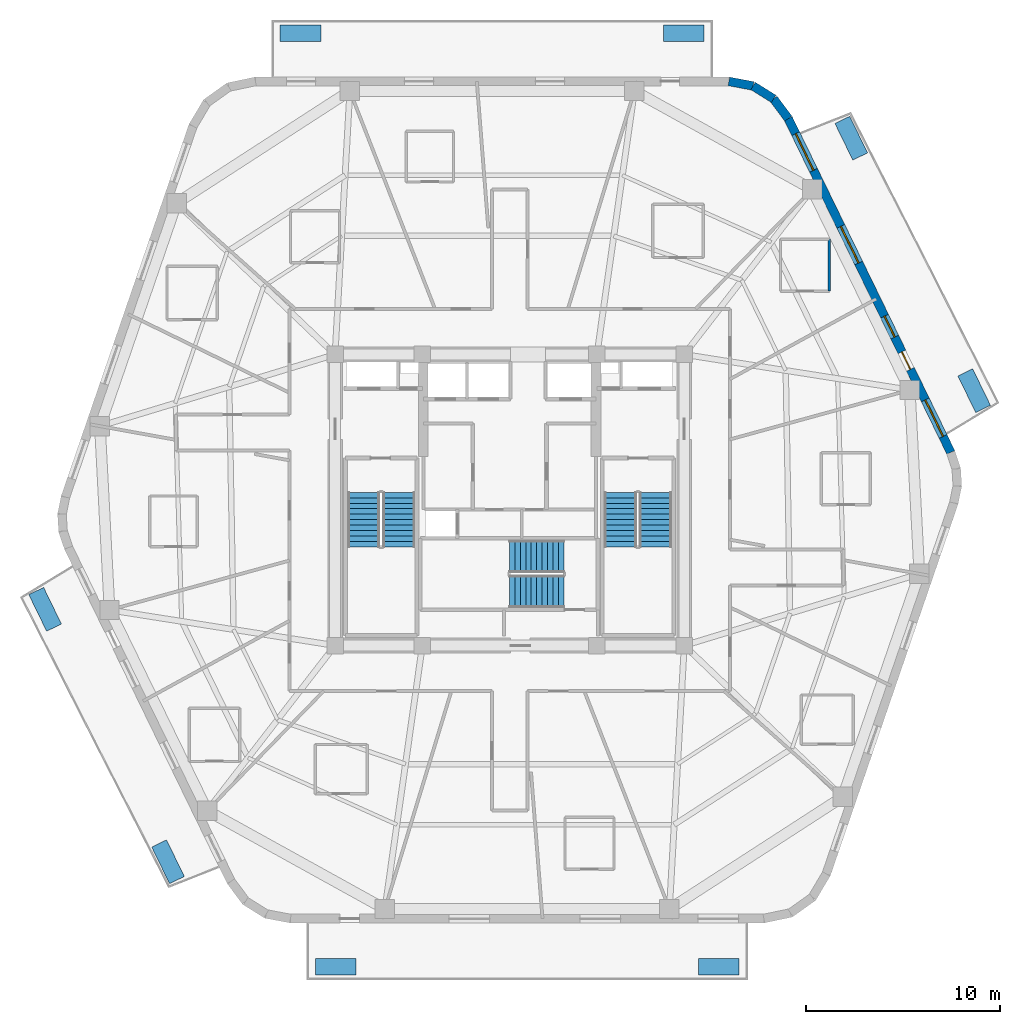
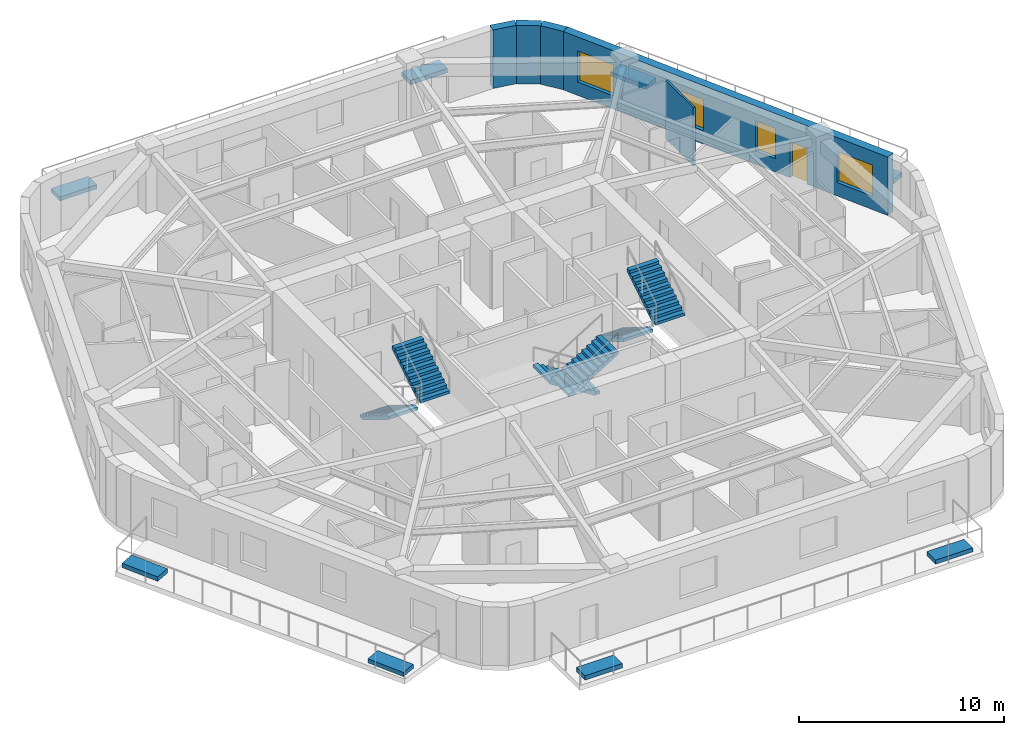
# One storey, part 7 of 10: 8 discrete accessories, 6 stair flights, 5 walls, 4 windows, 1 door, 5 openings, 3 elements without a shape of their own.
"""IFC4 building model written with IfcOpenShell, lengths in metres."""

from ifc_helpers import new_model, si_unit, direction, frame, frame_2d, origin, origin_2d, place, context, subcontext, project, spatial, polyline, rectangle, outline, extrude, material, layer, layer_set, type_object, element, fill, aggregate, save


model = new_model("IFC4")

# Units and contexts
model_context = context("Model", 3, precision=1e-05, world=origin(), true_north=direction((0.0, 1.0)))
body_context = subcontext(model_context, "Body", "Model", "MODEL_VIEW")
ifc_project = project(units=[si_unit("LENGTHUNIT", "METRE"), si_unit("AREAUNIT", "SQUARE_METRE"), si_unit("VOLUMEUNIT", "CUBIC_METRE"), si_unit("PLANEANGLEUNIT", "RADIAN"), si_unit("MASSUNIT", "GRAM", prefix="KILO")], contexts=[model_context])

# Site, building, storey
site_placement = place(None, origin())
site = spatial("IfcSite", under=ifc_project, at=site_placement, CompositionType="ELEMENT")
building_placement = place(site_placement, origin())
building = spatial("IfcBuilding", under=site, at=building_placement, Name="Kilnhurst Terrace Hotel", CompositionType="ELEMENT")
storey_placement = place(building_placement, frame((0.0, 0.0, 252.10009765625)))
storey = spatial("IfcBuildingStorey", under=building, at=storey_placement, Name="L63", CompositionType="ELEMENT", Elevation=252.10009765625)

# Walls
ifc_material_1 = material(Name="Precast concrete C40/50", Category="concrete")
ifc_layer_1 = layer(ifc_material_1, 0.449951171875, Name="Precast concrete C40/50")
ifc_layer_set_1 = layer_set([ifc_layer_1], Name="Precast concrete C40/50")
wall_type_1 = type_object("IfcWallType", Name="WL-BRK-450", PredefinedType="SOLIDWALL", material=ifc_layer_set_1)
wall_1_placement = place(storey_placement, frame((14.3623046875, 19.658447265625, 0.0), z_axis=(0.0, 0.0, 1.0), x_axis=(-0.596642462792, 0.80250717853, 0.0)))
element("IfcWall", 1, at=wall_1_placement, inside=storey, type_object=wall_type_1, Name="L63 Rounded Corner Brick Wall C4.1", PredefinedType="SOLIDWALL", context=body_context, shape_type="SweptSolid", body=[
    extrude(rectangle(XDim=1.27001953125, YDim=0.449951171875, at=frame_2d((0.635009765625, 0.0))), origin(), (0.0, 0.0, 1.0), 3.47998046875),
])
wall_2_placement = place(storey_placement, frame((13.6044921875, 20.677734375, 0.0), z_axis=(0.0, 0.0, 1.0), x_axis=(-0.847910404124, 0.53013955387, 0.0)))
element("IfcWall", 2, at=wall_2_placement, inside=storey, type_object=wall_type_1, Name="L63 Rounded Corner Brick Wall C4.2", PredefinedType="SOLIDWALL", context=body_context, shape_type="SweptSolid", body=[
    extrude(rectangle(XDim=1.24853515625, YDim=0.449951171875, at=frame_2d((0.624267578125, 0.0))), origin(), (0.0, 0.0, 1.0), 3.47998046875),
])
wall_3_placement = place(storey_placement, frame((12.5458984375, 21.339599609375, 0.0), z_axis=(0.0, 0.0, 1.0), x_axis=(-0.982686750835, 0.18527479519, 0.0)))
element("IfcWall", 3, at=wall_3_placement, inside=storey, type_object=wall_type_1, Name="L63 Rounded Corner Brick Wall C4.3", PredefinedType="SOLIDWALL", context=body_context, shape_type="SweptSolid", body=[
    extrude(rectangle(XDim=1.270263671875, YDim=0.449951171875, at=frame_2d((0.63525390625, 0.0))), origin(), (0.0, 0.0, 1.0), 3.47998046875),
])

# Wall, openings, door, windows
wall_4_placement = place(storey_placement, frame((22.73974609375, 2.4521484375, 0.0), z_axis=(0.0, 0.0, 1.0), x_axis=(-0.437753424814, 0.899095066755, 0.0)))
wall_4 = element("IfcWall", 4, at=wall_4_placement, inside=storey, type_object=wall_type_1, Name="L63 Exterior Brick Facade Wall F3", PredefinedType="SOLIDWALL", context=body_context, shape_type="SweptSolid", body=[
    extrude(rectangle(XDim=19.137451171875, YDim=0.449951171875, at=frame_2d((9.56884765625, 0.0))), origin(), (0.0, 0.0, 1.0), 3.47998046875),
])
opening_1_placement = place(wall_4_placement, frame((4.762939453125, 0.0, 0.0)))
opening_1 = element("IfcOpeningElement", 5, at=opening_1_placement, cuts=wall_4, Name="Opening BD-1000", PredefinedType="OPENING", context=body_context, shape_type="SweptSolid", body=[
    extrude(rectangle(XDim=1.0, YDim=2.14990234375, at=frame_2d((0.5, 1.074951171875))), frame((0.0, 0.23486328125, 0.0), z_axis=(0.0, -1.0, 0.0), x_axis=(1.0, 0.0, 0.0)), (0.0, 0.0, 1.0), 0.469970703125),
])
opening_2_placement = place(wall_4_placement, frame((6.611083984375, 0.0, 0.800048828125)))
opening_2 = element("IfcOpeningElement", 6, at=opening_2_placement, cuts=wall_4, Name="Opening W-03", PredefinedType="OPENING", context=body_context, shape_type="SweptSolid", body=[
    extrude(rectangle(XDim=1.199951171875, YDim=1.800048828125, at=frame_2d((0.60009765625, 0.89990234375))), frame((0.0, 0.23486328125, 0.0), z_axis=(0.0, -1.0, 0.0), x_axis=(1.0, 0.0, 0.0)), (0.0, 0.0, 1.0), 0.469970703125),
])
opening_3_placement = place(wall_4_placement, frame((10.85595703125, 0.0, 0.800048828125)))
opening_3 = element("IfcOpeningElement", 7, at=opening_3_placement, cuts=wall_4, Name="Opening W-04", PredefinedType="OPENING", context=body_context, shape_type="SweptSolid", body=[
    extrude(rectangle(XDim=2.10009765625, YDim=1.85009765625, at=frame_2d((1.050048828125, 0.925048828125))), frame((0.0, 0.23486328125, 0.0), z_axis=(0.0, -1.0, 0.0), x_axis=(1.0, 0.0, 0.0)), (0.0, 0.0, 1.0), 0.469970703125),
])
opening_4_placement = place(wall_4_placement, frame((16.173095703125, 0.0, 0.800048828125)))
opening_4 = element("IfcOpeningElement", 8, at=opening_4_placement, cuts=wall_4, Name="Opening W-04", PredefinedType="OPENING", context=body_context, shape_type="SweptSolid", body=[
    extrude(rectangle(XDim=2.10009765625, YDim=1.85009765625, at=frame_2d((1.050048828125, 0.925048828125))), frame((0.0, 0.23486328125, 0.0), z_axis=(0.0, -1.0, 0.0), x_axis=(1.0, 0.0, 0.0)), (0.0, 0.0, 1.0), 0.469970703125),
])
opening_5_placement = place(wall_4_placement, frame((0.916015625, 0.0, 0.800048828125)))
opening_5 = element("IfcOpeningElement", 9, at=opening_5_placement, cuts=wall_4, Name="Opening W-04", PredefinedType="OPENING", context=body_context, shape_type="SweptSolid", body=[
    extrude(rectangle(XDim=2.10009765625, YDim=1.85009765625, at=frame_2d((1.050048828125, 0.925048828125))), frame((0.0, 0.23486328125, 0.0), z_axis=(0.0, -1.0, 0.0), x_axis=(1.0, 0.0, 0.0)), (0.0, 0.0, 1.0), 0.469970703125),
])
ifc_material_2 = material(Name="Thermally Broken Bronze Aluminium Alloy 6063-T6 and Laminated Glass", Category="aluminium")
door_type = type_object("IfcDoorType", Name="DR-EXT-BAL-1000", OperationType="NOTDEFINED", PredefinedType="DOOR", material=ifc_material_2)
door_placement = place(opening_1_placement, origin())
door = element("IfcDoor", 10, at=door_placement, inside=storey, type_object=door_type, Name="L63 Planted Balcony Door BAL-L1A", OperationType="SINGLE_SWING_LEFT", OverallHeight=2.14990234375, OverallWidth=1.0, PredefinedType="DOOR", context=body_context, shape_type="SweptSolid", body=[
    extrude(rectangle(XDim=1.0, YDim=2.14990234375, at=frame_2d((0.5, 1.074951171875))), frame((0.0, 0.02490234375, 0.0), z_axis=(0.0, -1.0, 0.0), x_axis=(1.0, 0.0, 0.0)), (0.0, 0.0, 1.0), 0.050048828125),
])
fill(opening_1, door)
ifc_material_3 = material(Name="Thermally Broken Bronze Aluminium Alloy 6063-T6 and Low-E Glass", Category="aluminium")
window_type_1 = type_object("IfcWindowType", Name="WIN-1200X1800", PartitioningType="SINGLE_PANEL", PredefinedType="WINDOW", material=ifc_material_3)
window_1_placement = place(opening_2_placement, origin())
window_1 = element("IfcWindow", 11, at=window_1_placement, inside=storey, type_object=window_type_1, Name="L63 Deep-Set Masonry Window F3.1", OverallHeight=1.800048828125, OverallWidth=1.199951171875, PartitioningType="SINGLE_PANEL", PredefinedType="WINDOW", context=body_context, shape_type="SweptSolid", body=[
    extrude(rectangle(XDim=1.199951171875, YDim=1.800048828125, at=frame_2d((0.60009765625, 0.89990234375))), frame((0.0, 0.030029296875, 0.0), z_axis=(0.0, -1.0, 0.0), x_axis=(1.0, 0.0, 0.0)), (0.0, 0.0, 1.0), 0.06005859375),
])
fill(opening_2, window_1)
window_type_2 = type_object("IfcWindowType", Name="WIN-2100X1850", PartitioningType="SINGLE_PANEL", PredefinedType="WINDOW", material=ifc_material_3)
window_2_placement = place(opening_3_placement, origin())
window_2 = element("IfcWindow", 12, at=window_2_placement, inside=storey, type_object=window_type_2, Name="L63 Deep-Set Masonry Window F3.2", OverallHeight=1.85009765625, OverallWidth=2.10009765625, PartitioningType="SINGLE_PANEL", PredefinedType="WINDOW", context=body_context, shape_type="SweptSolid", body=[
    extrude(rectangle(XDim=2.10009765625, YDim=1.85009765625, at=frame_2d((1.050048828125, 0.925048828125))), frame((0.0, 0.030029296875, 0.0), z_axis=(0.0, -1.0, 0.0), x_axis=(1.0, 0.0, 0.0)), (0.0, 0.0, 1.0), 0.06005859375),
])
fill(opening_3, window_2)
window_3_placement = place(opening_4_placement, origin())
window_3 = element("IfcWindow", 13, at=window_3_placement, inside=storey, type_object=window_type_2, Name="L63 Deep-Set Masonry Window F3.3", OverallHeight=1.85009765625, OverallWidth=2.10009765625, PartitioningType="SINGLE_PANEL", PredefinedType="WINDOW", context=body_context, shape_type="SweptSolid", body=[
    extrude(rectangle(XDim=2.10009765625, YDim=1.85009765625, at=frame_2d((1.050048828125, 0.925048828125))), frame((0.0, 0.030029296875, 0.0), z_axis=(0.0, -1.0, 0.0), x_axis=(1.0, 0.0, 0.0)), (0.0, 0.0, 1.0), 0.06005859375),
])
fill(opening_4, window_3)
window_4_placement = place(opening_5_placement, origin())
window_4 = element("IfcWindow", 14, at=window_4_placement, inside=storey, type_object=window_type_2, Name="L63 Deep-Set Masonry Window F3.4", OverallHeight=1.85009765625, OverallWidth=2.10009765625, PartitioningType="SINGLE_PANEL", PredefinedType="WINDOW", context=body_context, shape_type="SweptSolid", body=[
    extrude(rectangle(XDim=2.10009765625, YDim=1.85009765625, at=frame_2d((1.050048828125, 0.925048828125))), frame((0.0, 0.030029296875, 0.0), z_axis=(0.0, -1.0, 0.0), x_axis=(1.0, 0.0, 0.0)), (0.0, 0.0, 1.0), 0.06005859375),
])
fill(opening_5, window_4)

# Wall
ifc_material_4 = material(Name="120 mm Moisture-Resistant Tile-Backed Bathroom Partition")
ifc_layer_2 = layer(ifc_material_4, 0.1201171875, Name="120 mm Moisture-Resistant Tile-Backed Bathroom Partition")
ifc_layer_set_2 = layer_set([ifc_layer_2], Name="120 mm Moisture-Resistant Tile-Backed Bathroom Partition")
wall_type_2 = type_object("IfcWallType", Name="WL-PART-120", PredefinedType="PARTITIONING", material=ifc_layer_set_2)
wall_5_placement = place(storey_placement, frame((16.47802734375, 10.761962890625, 0.0), z_axis=(0.0, 0.0, 1.0), x_axis=(0.0, 1.0, 0.0)))
element("IfcWall", 15, at=wall_5_placement, inside=storey, type_object=wall_type_2, Name="L63 Interior Wall WL-L63-BTH-02-2", PredefinedType="PARTITIONING", context=body_context, shape_type="SweptSolid", body=[
    extrude(rectangle(XDim=2.679931640625, YDim=0.1201171875, at=frame_2d((1.33984375, 0.0))), origin(), (0.0, 0.0, 1.0), 3.47998046875),
])

# Stair, stair flights
ifc_material_5 = material(Name="Concrete C50/60", Category="concrete")
stair_type = type_object("IfcStairType", Name="STR-CORE-1660", PredefinedType="HALF_TURN_STAIR", material=ifc_material_5)
stair_1_placement = place(storey_placement, origin())
stair_1 = element("IfcStair", 16, at=stair_1_placement, inside=storey, type_object=stair_type, Name="L63 ST-1", PredefinedType="HALF_TURN_STAIR")
stair_flight_type = type_object("IfcStairFlightType", Name="FLT-RC-1660", PredefinedType="STRAIGHT", material=ifc_material_5)
stair_flight_1_placement = place(storey_placement, frame((-7.52001953125, 0.389892578125, 0.0), z_axis=(0.0, 0.0, 1.0), x_axis=(0.0, -1.0, 0.0)))
stair_flight_1 = element("IfcStairFlight", 17, at=stair_flight_1_placement, type_object=stair_flight_type, Name="ST-1 flight 1", NumberOfRisers=11, NumberOfTreads=10, PredefinedType="STRAIGHT", RiserHeight=0.172727273, TreadLength=0.28, context=body_context, shape_type="SweptSolid", body=[
    extrude(outline(polyline([(0.0, 0.0), (0.0, 0.172607421875), (0.280029296875, 0.172607421875), (0.280029296875, 0.345458984375), (0.56005859375, 0.345458984375), (0.56005859375, 0.51806640625), (0.840087890625, 0.51806640625), (0.840087890625, 0.69091796875), (1.1201171875, 0.69091796875), (1.1201171875, 0.863525390625), (1.39990234375, 0.863525390625), (1.39990234375, 1.036376953125), (1.679931640625, 1.036376953125), (1.679931640625, 1.208984375), (1.9599609375, 1.208984375), (1.9599609375, 1.3818359375), (2.239990234375, 1.3818359375), (2.239990234375, 1.554443359375), (2.52001953125, 1.554443359375), (2.52001953125, 1.727294921875), (2.800048828125, 1.727294921875), (2.800048828125, 1.89990234375), (2.800048828125, 1.551025390625), (0.285400390625, 0.0), (0.0, 0.0)])), frame((0.0, 0.830078125, 0.0), z_axis=(0.0, -1.0, 0.0), x_axis=(1.0, 0.0, 0.0)), (0.0, 0.0, 1.0), 1.659912109375),
])
stair_flight_2_placement = place(storey_placement, frame((-5.7099609375, -2.409912109375, 1.89990234375), z_axis=(0.0, 0.0, 1.0), x_axis=(0.0, 1.0, 0.0)))
stair_flight_2 = element("IfcStairFlight", 18, at=stair_flight_2_placement, type_object=stair_flight_type, Name="ST-1 flight 2", NumberOfRisers=11, NumberOfTreads=10, PredefinedType="STRAIGHT", RiserHeight=0.172727273, TreadLength=0.28, context=body_context, shape_type="SweptSolid", body=[
    extrude(outline(polyline([(0.0, 0.0), (0.0, 0.172607421875), (0.280029296875, 0.172607421875), (0.280029296875, 0.345458984375), (0.56005859375, 0.345458984375), (0.56005859375, 0.51806640625), (0.840087890625, 0.51806640625), (0.840087890625, 0.69091796875), (1.1201171875, 0.69091796875), (1.1201171875, 0.863525390625), (1.39990234375, 0.863525390625), (1.39990234375, 1.036376953125), (1.679931640625, 1.036376953125), (1.679931640625, 1.208984375), (1.9599609375, 1.208984375), (1.9599609375, 1.3818359375), (2.239990234375, 1.3818359375), (2.239990234375, 1.554443359375), (2.52001953125, 1.554443359375), (2.52001953125, 1.727294921875), (2.800048828125, 1.727294921875), (2.800048828125, 1.89990234375), (2.800048828125, 1.551025390625), (0.285400390625, 0.0), (0.0, 0.0)])), frame((0.0, 0.830078125, 0.0), z_axis=(0.0, -1.0, 0.0), x_axis=(1.0, 0.0, 0.0)), (0.0, 0.0, 1.0), 1.659912109375),
])
aggregate(stair_1, [stair_flight_1, stair_flight_2])

stair_2_placement = place(storey_placement, origin())
stair_2 = element("IfcStair", 19, at=stair_2_placement, inside=storey, type_object=stair_type, Name="L63 ST-2", PredefinedType="HALF_TURN_STAIR")
stair_flight_3_placement = place(storey_placement, frame((5.7099609375, 0.389892578125, 0.0), z_axis=(0.0, 0.0, 1.0), x_axis=(0.0, -1.0, 0.0)))
stair_flight_3 = element("IfcStairFlight", 20, at=stair_flight_3_placement, type_object=stair_flight_type, Name="ST-2 flight 1", NumberOfRisers=11, NumberOfTreads=10, PredefinedType="STRAIGHT", RiserHeight=0.172727273, TreadLength=0.28, context=body_context, shape_type="SweptSolid", body=[
    extrude(outline(polyline([(0.0, 0.0), (0.0, 0.172607421875), (0.280029296875, 0.172607421875), (0.280029296875, 0.345458984375), (0.56005859375, 0.345458984375), (0.56005859375, 0.51806640625), (0.840087890625, 0.51806640625), (0.840087890625, 0.69091796875), (1.1201171875, 0.69091796875), (1.1201171875, 0.863525390625), (1.39990234375, 0.863525390625), (1.39990234375, 1.036376953125), (1.679931640625, 1.036376953125), (1.679931640625, 1.208984375), (1.9599609375, 1.208984375), (1.9599609375, 1.3818359375), (2.239990234375, 1.3818359375), (2.239990234375, 1.554443359375), (2.52001953125, 1.554443359375), (2.52001953125, 1.727294921875), (2.800048828125, 1.727294921875), (2.800048828125, 1.89990234375), (2.800048828125, 1.551025390625), (0.285400390625, 0.0), (0.0, 0.0)])), frame((0.0, 0.830078125, 0.0), z_axis=(0.0, -1.0, 0.0), x_axis=(1.0, 0.0, 0.0)), (0.0, 0.0, 1.0), 1.659912109375),
])
stair_flight_4_placement = place(storey_placement, frame((7.52001953125, -2.409912109375, 1.89990234375), z_axis=(0.0, 0.0, 1.0), x_axis=(0.0, 1.0, 0.0)))
stair_flight_4 = element("IfcStairFlight", 21, at=stair_flight_4_placement, type_object=stair_flight_type, Name="ST-2 flight 2", NumberOfRisers=11, NumberOfTreads=10, PredefinedType="STRAIGHT", RiserHeight=0.172727273, TreadLength=0.28, context=body_context, shape_type="SweptSolid", body=[
    extrude(outline(polyline([(0.0, 0.0), (0.0, 0.172607421875), (0.280029296875, 0.172607421875), (0.280029296875, 0.345458984375), (0.56005859375, 0.345458984375), (0.56005859375, 0.51806640625), (0.840087890625, 0.51806640625), (0.840087890625, 0.69091796875), (1.1201171875, 0.69091796875), (1.1201171875, 0.863525390625), (1.39990234375, 0.863525390625), (1.39990234375, 1.036376953125), (1.679931640625, 1.036376953125), (1.679931640625, 1.208984375), (1.9599609375, 1.208984375), (1.9599609375, 1.3818359375), (2.239990234375, 1.3818359375), (2.239990234375, 1.554443359375), (2.52001953125, 1.554443359375), (2.52001953125, 1.727294921875), (2.800048828125, 1.727294921875), (2.800048828125, 1.89990234375), (2.800048828125, 1.551025390625), (0.285400390625, 0.0), (0.0, 0.0)])), frame((0.0, 0.830078125, 0.0), z_axis=(0.0, -1.0, 0.0), x_axis=(1.0, 0.0, 0.0)), (0.0, 0.0, 1.0), 1.659912109375),
])
aggregate(stair_2, [stair_flight_3, stair_flight_4])

stair_3_placement = place(storey_placement, origin())
stair_3 = element("IfcStair", 22, at=stair_3_placement, inside=storey, type_object=stair_type, Name="L63 ST-3", PredefinedType="HALF_TURN_STAIR")
stair_flight_5_placement = place(storey_placement, frame((2.7900390625, -2.909912109375, 0.0), z_axis=(0.0, 0.0, 1.0), x_axis=(-1.0, 0.0, 0.0)))
stair_flight_5 = element("IfcStairFlight", 23, at=stair_flight_5_placement, type_object=stair_flight_type, Name="ST-3 flight 1", NumberOfRisers=11, NumberOfTreads=10, PredefinedType="STRAIGHT", RiserHeight=0.172727273, TreadLength=0.28, context=body_context, shape_type="SweptSolid", body=[
    extrude(outline(polyline([(0.0, 0.0), (0.0, 0.172607421875), (0.280029296875, 0.172607421875), (0.280029296875, 0.345458984375), (0.56005859375, 0.345458984375), (0.56005859375, 0.51806640625), (0.840087890625, 0.51806640625), (0.840087890625, 0.69091796875), (1.1201171875, 0.69091796875), (1.1201171875, 0.863525390625), (1.39990234375, 0.863525390625), (1.39990234375, 1.036376953125), (1.679931640625, 1.036376953125), (1.679931640625, 1.208984375), (1.9599609375, 1.208984375), (1.9599609375, 1.3818359375), (2.239990234375, 1.3818359375), (2.239990234375, 1.554443359375), (2.52001953125, 1.554443359375), (2.52001953125, 1.727294921875), (2.800048828125, 1.727294921875), (2.800048828125, 1.89990234375), (2.800048828125, 1.551025390625), (0.285400390625, 0.0), (0.0, 0.0)])), frame((0.0, 0.830078125, 0.0), z_axis=(0.0, -1.0, 0.0), x_axis=(1.0, 0.0, 0.0)), (0.0, 0.0, 1.0), 1.659912109375),
])
stair_flight_6_placement = place(storey_placement, frame((-0.010009765625, -4.719970703125, 1.89990234375), z_axis=(0.0, 0.0, 1.0), x_axis=(1.0, 0.0, 0.0)))
stair_flight_6 = element("IfcStairFlight", 24, at=stair_flight_6_placement, type_object=stair_flight_type, Name="ST-3 flight 2", NumberOfRisers=11, NumberOfTreads=10, PredefinedType="STRAIGHT", RiserHeight=0.172727273, TreadLength=0.28, context=body_context, shape_type="SweptSolid", body=[
    extrude(outline(polyline([(0.0, 0.0), (0.0, 0.172607421875), (0.280029296875, 0.172607421875), (0.280029296875, 0.345458984375), (0.56005859375, 0.345458984375), (0.56005859375, 0.51806640625), (0.840087890625, 0.51806640625), (0.840087890625, 0.69091796875), (1.1201171875, 0.69091796875), (1.1201171875, 0.863525390625), (1.39990234375, 0.863525390625), (1.39990234375, 1.036376953125), (1.679931640625, 1.036376953125), (1.679931640625, 1.208984375), (1.9599609375, 1.208984375), (1.9599609375, 1.3818359375), (2.239990234375, 1.3818359375), (2.239990234375, 1.554443359375), (2.52001953125, 1.554443359375), (2.52001953125, 1.727294921875), (2.800048828125, 1.727294921875), (2.800048828125, 1.89990234375), (2.800048828125, 1.551025390625), (0.285400390625, 0.0), (0.0, 0.0)])), frame((0.0, 0.830078125, 0.0), z_axis=(0.0, -1.0, 0.0), x_axis=(1.0, 0.0, 0.0)), (0.0, 0.0, 1.0), 1.659912109375),
])
aggregate(stair_3, [stair_flight_5, stair_flight_6])

# Discrete accessories
ifc_material_6 = material(Name="Precast Concrete C40/50 Shrub Planter", Category="concrete")
discrete_accessory_type_1 = type_object("IfcDiscreteAccessoryType", Name="PLN-SHRUB-240", PredefinedType="USERDEFINED", material=ifc_material_6)
for number, where, z_axis, x_axis, name in (
    (25, (17.607177734375, 18.64794921875, 0.0), (0.0, 0.0, 1.0), (-0.437743563395, 0.899099868038, 0.0), "L63 Structural Tree Planter Box PLANTER BAL-L1A.2"),
    (26, (-10.77490234375, 24.050048828125, 0.0), (0.0, 0.0, 1.0), (-1.0, 0.0, 0.0), "L63 Structural Tree Planter Box PLANTER BAL-L1B.2"),
    (27, (-17.607177734375, -18.64794921875, 0.0), (0.0, 0.0, 1.0), (0.437743563395, -0.899099868038, 0.0), "L63 Structural Tree Planter Box PLANTER BAL-L2A.2"),
    (28, (10.77490234375, -24.050048828125, 0.0), (0.0, 0.0, 1.0), (1.0, 0.0, 0.0), "L63 Structural Tree Planter Box PLANTER BAL-L2B.2"),
):
    element("IfcDiscreteAccessory", number, at=place(storey_placement, frame(where, z_axis=z_axis, x_axis=x_axis)), inside=storey, type_object=discrete_accessory_type_1, Name=name, ObjectType="PLANTER", PredefinedType="USERDEFINED", context=body_context, shape_type="SweptSolid", body=[
        extrude(rectangle(XDim=2.10009765625, YDim=0.85009765625, at=origin_2d()), origin(), (0.0, 0.0, 1.0), 0.239990234375),
    ])
ifc_material_7 = material(Name="Precast Concrete C40/50 Tree Planter", Category="concrete")
discrete_accessory_type_2 = type_object("IfcDiscreteAccessoryType", Name="PLN-TREE-260", PredefinedType="USERDEFINED", material=ifc_material_7)
for number, where, z_axis, x_axis, name in (
    (29, (23.942626953125, 5.635009765625, 0.0), (0.0, 0.0, 1.0), (-0.437743563395, 0.899099868038, 0.0), "L63 Structural Tree Planter Box PLANTER BAL-L1A.1"),
    (30, (8.96875, 24.050048828125, 0.0), (0.0, 0.0, 1.0), (-1.0, 0.0, 0.0), "L63 Structural Tree Planter Box PLANTER BAL-L1B.1"),
    (31, (-23.942626953125, -5.635009765625, 0.0), (0.0, 0.0, 1.0), (0.437743563395, -0.899099868038, 0.0), "L63 Structural Tree Planter Box PLANTER BAL-L2A.1"),
    (32, (-8.96875, -24.050048828125, 0.0), (0.0, 0.0, 1.0), (1.0, 0.0, 0.0), "L63 Structural Tree Planter Box PLANTER BAL-L2B.1"),
):
    element("IfcDiscreteAccessory", number, at=place(storey_placement, frame(where, z_axis=z_axis, x_axis=x_axis)), inside=storey, type_object=discrete_accessory_type_2, Name=name, ObjectType="PLANTER", PredefinedType="USERDEFINED", context=body_context, shape_type="SweptSolid", body=[
        extrude(rectangle(XDim=2.10009765625, YDim=0.85009765625, at=origin_2d()), origin(), (0.0, 0.0, 1.0), 0.260009765625),
    ])

save(model, "model.ifc")
